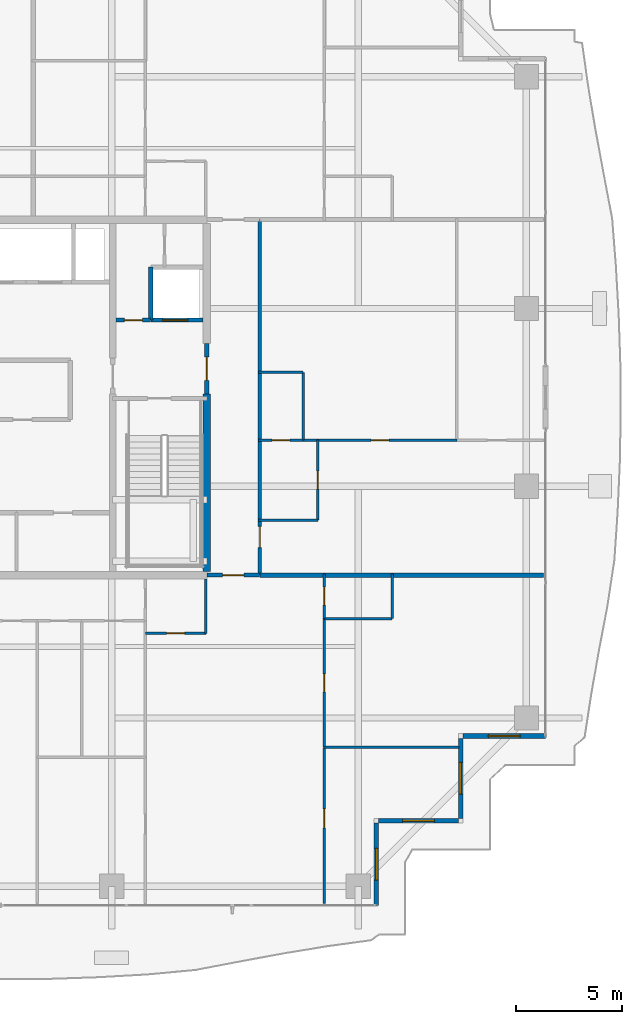
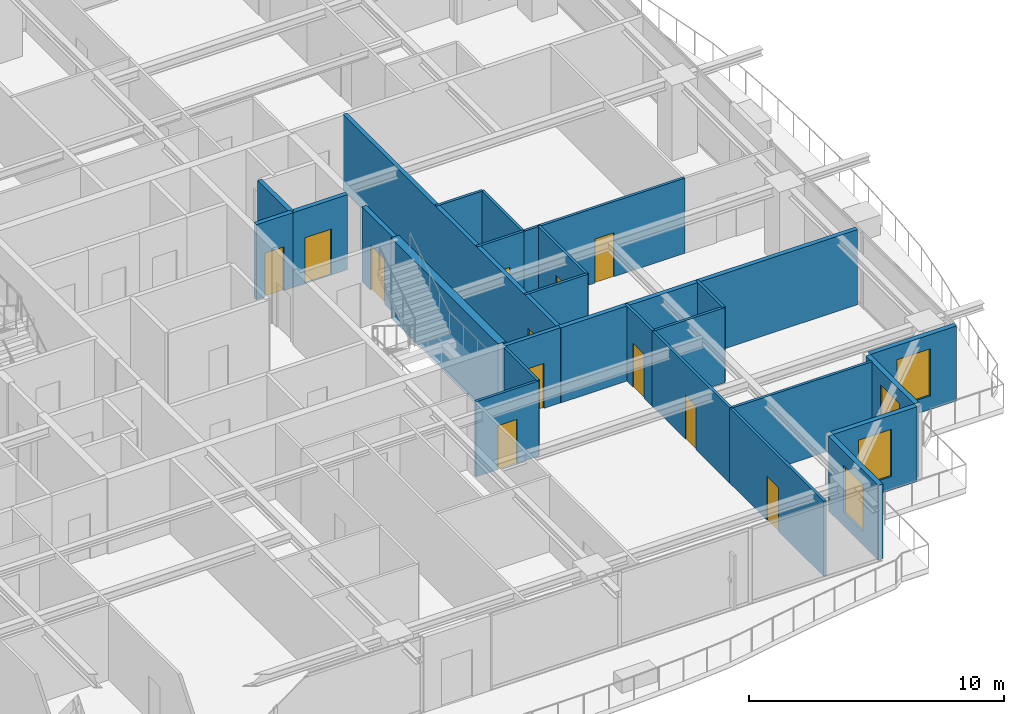
# One storey, part 28 of 37: 26 walls, 12 doors, 4 windows, 16 openings.
"""IFC4 building model written with IfcOpenShell, lengths in metres."""

from ifc_helpers import new_model, si_unit, direction, frame, frame_2d, origin, place, context, subcontext, project, spatial, rectangle, extrude, source, transform, mapped, material, layer, layer_set, type_object, element, fill, save


model = new_model("IFC4")

# Units and contexts
model_context = context("Model", 3, precision=1e-05, world=origin(), true_north=direction((0.0, 1.0)))
body_context = subcontext(model_context, "Body", "Model", "MODEL_VIEW")
ifc_project = project(units=[si_unit("LENGTHUNIT", "METRE"), si_unit("AREAUNIT", "SQUARE_METRE"), si_unit("VOLUMEUNIT", "CUBIC_METRE"), si_unit("PLANEANGLEUNIT", "RADIAN"), si_unit("MASSUNIT", "GRAM", prefix="KILO")], contexts=[model_context])

# Site, building, storey
site_placement = place(None, origin())
site = spatial("IfcSite", under=ifc_project, at=site_placement, CompositionType="ELEMENT")
building_placement = place(site_placement, origin())
building = spatial("IfcBuilding", under=site, at=building_placement, Name="Serunith Strait Residences", CompositionType="ELEMENT")
storey_placement = place(building_placement, frame((0.0, 0.0, 275.89990234375)))
storey = spatial("IfcBuildingStorey", under=building, at=storey_placement, Name="L69", CompositionType="ELEMENT", Elevation=275.89990234375)

# Wall, opening, window
ifc_material_1 = material(Name="Pale-Champagne Aluminium Insulated Panel", Category="aluminium")
ifc_layer_1 = layer(ifc_material_1, 0.219970703125, Name="Pale-Champagne Aluminium Insulated Panel")
ifc_layer_set_1 = layer_set([ifc_layer_1], Name="Pale-Champagne Aluminium Insulated Panel")
wall_type_1 = type_object("IfcWallType", Name="EW-ALUM-220", PredefinedType="ELEMENTEDWALL", material=ifc_layer_set_1)
wall_1_placement = place(storey_placement, frame((49.39990234375, 1.199951171875, 0.0), z_axis=(0.0, 0.0, 1.0), x_axis=(0.0, 1.0, 0.0)))
wall_1 = element("IfcWall", 1, at=wall_1_placement, inside=storey, type_object=wall_type_1, Name="L69 Girih Serrated Corner Wall 02", PredefinedType="ELEMENTEDWALL", context=body_context, shape_type="SweptSolid", body=[
    extrude(rectangle(XDim=3.89013671875, YDim=0.219970703125, at=frame_2d((1.945068359375, 0.0))), origin(), (0.0, 0.0, 1.0), 3.5751953125),
])
opening_1_placement = place(wall_1_placement, frame((1.195068359375, 0.0, 0.64990234375)))
opening_1 = element("IfcOpeningElement", 2, at=opening_1_placement, cuts=wall_1, Name="Opening W-05", PredefinedType="OPENING", context=body_context, shape_type="SweptSolid", body=[
    extrude(rectangle(XDim=1.5, YDim=2.25, at=frame_2d((0.75, 1.125))), frame((0.0, 0.1201171875, 0.0), z_axis=(0.0, -1.0, 0.0), x_axis=(1.0, 0.0, 0.0)), (0.0, 0.0, 1.0), 0.239990234375),
])
ifc_material_2 = material(Name="Ceramic-Fritted Operable Aluminium Window Glass", Category="aluminium")
window_type = type_object("IfcWindowType", Name="WIN-C5", PartitioningType="DOUBLE_PANEL_VERTICAL", PredefinedType="WINDOW", material=ifc_material_2)
shared_shape_1 = source(origin(), body_context, "Body", "SweptSolid", [
    extrude(rectangle(XDim=1.5, YDim=2.25, at=frame_2d((0.75, 1.125))), frame((0.0, 0.030029296875, 0.0), z_axis=(0.0, -1.0, 0.0), x_axis=(1.0, 0.0, 0.0)), (0.0, 0.0, 1.0), 0.06005859375),
])
window_1_placement = place(opening_1_placement, origin())
window_1 = element("IfcWindow", 3, at=window_1_placement, inside=storey, type_object=window_type, Name="L69 Corner Operable Fritted Window 02", OverallHeight=2.25, OverallWidth=1.5, PartitioningType="SINGLE_PANEL", PredefinedType="WINDOW", context=body_context, shape_type="MappedRepresentation", body=[
    mapped(shared_shape_1, transform((0.0, 0.0, 0.0), scale=1.0)),
])
fill(opening_1, window_1)

wall_2_placement = place(storey_placement, frame((49.510009765625, 5.199951171875, 0.0), z_axis=(0.0, 0.0, 1.0), x_axis=(1.0, 0.0, 0.0)))
wall_2 = element("IfcWall", 4, at=wall_2_placement, inside=storey, type_object=wall_type_1, Name="L69 Girih Serrated Corner Wall 03", PredefinedType="ELEMENTEDWALL", context=body_context, shape_type="SweptSolid", body=[
    extrude(rectangle(XDim=3.780029296875, YDim=0.219970703125, at=frame_2d((1.89013671875, 0.0))), origin(), (0.0, 0.0, 1.0), 3.5751953125),
])
opening_2_placement = place(wall_2_placement, frame((1.139892578125, 0.0, 0.64990234375)))
opening_2 = element("IfcOpeningElement", 5, at=opening_2_placement, cuts=wall_2, Name="Opening W-05", PredefinedType="OPENING", context=body_context, shape_type="SweptSolid", body=[
    extrude(rectangle(XDim=1.5, YDim=2.25, at=frame_2d((0.75, 1.125))), frame((0.0, 0.1201171875, 0.0), z_axis=(0.0, -1.0, 0.0), x_axis=(1.0, 0.0, 0.0)), (0.0, 0.0, 1.0), 0.239990234375),
])
window_2_placement = place(opening_2_placement, origin())
window_2 = element("IfcWindow", 6, at=window_2_placement, inside=storey, type_object=window_type, Name="L69 Corner Operable Fritted Window 03", OverallHeight=2.25, OverallWidth=1.5, PartitioningType="SINGLE_PANEL", PredefinedType="WINDOW", context=body_context, shape_type="MappedRepresentation", body=[
    mapped(shared_shape_1, transform((0.0, 0.0, 0.0), scale=1.0)),
])
fill(opening_2, window_2)

wall_3_placement = place(storey_placement, frame((53.39990234375, 5.31005859375, 0.0), z_axis=(0.0, 0.0, 1.0), x_axis=(0.0, 1.0, 0.0)))
wall_3 = element("IfcWall", 7, at=wall_3_placement, inside=storey, type_object=wall_type_1, Name="L69 Girih Serrated Corner Wall 04", PredefinedType="ELEMENTEDWALL", context=body_context, shape_type="SweptSolid", body=[
    extrude(rectangle(XDim=3.780029296875, YDim=0.219970703125, at=frame_2d((1.89013671875, 0.0))), origin(), (0.0, 0.0, 1.0), 3.5751953125),
])
opening_3_placement = place(wall_3_placement, frame((1.139892578125, 0.0, 0.64990234375)))
opening_3 = element("IfcOpeningElement", 8, at=opening_3_placement, cuts=wall_3, Name="Opening W-05", PredefinedType="OPENING", context=body_context, shape_type="SweptSolid", body=[
    extrude(rectangle(XDim=1.5, YDim=2.25, at=frame_2d((0.75, 1.125))), frame((0.0, 0.1201171875, 0.0), z_axis=(0.0, -1.0, 0.0), x_axis=(1.0, 0.0, 0.0)), (0.0, 0.0, 1.0), 0.239990234375),
])
window_3_placement = place(opening_3_placement, origin())
window_3 = element("IfcWindow", 9, at=window_3_placement, inside=storey, type_object=window_type, Name="L69 Corner Operable Fritted Window 04", OverallHeight=2.25, OverallWidth=1.5, PartitioningType="SINGLE_PANEL", PredefinedType="WINDOW", context=body_context, shape_type="MappedRepresentation", body=[
    mapped(shared_shape_1, transform((0.0, 0.0, 0.0), scale=1.0)),
])
fill(opening_3, window_3)

wall_4_placement = place(storey_placement, frame((53.510009765625, 9.199951171875, 0.0), z_axis=(0.0, 0.0, 1.0), x_axis=(1.0, 0.0, 0.0)))
wall_4 = element("IfcWall", 10, at=wall_4_placement, inside=storey, type_object=wall_type_1, Name="L69 Girih Serrated Corner Wall 05", PredefinedType="ELEMENTEDWALL", context=body_context, shape_type="SweptSolid", body=[
    extrude(rectangle(XDim=3.889892578125, YDim=0.219970703125, at=frame_2d((1.94482421875, 0.0))), origin(), (0.0, 0.0, 1.0), 3.5751953125),
])
opening_4_placement = place(wall_4_placement, frame((1.195068359375, 0.0, 0.64990234375)))
opening_4 = element("IfcOpeningElement", 11, at=opening_4_placement, cuts=wall_4, Name="Opening W-05", PredefinedType="OPENING", context=body_context, shape_type="SweptSolid", body=[
    extrude(rectangle(XDim=1.5, YDim=2.25, at=frame_2d((0.75, 1.125))), frame((0.0, 0.1201171875, 0.0), z_axis=(0.0, -1.0, 0.0), x_axis=(1.0, 0.0, 0.0)), (0.0, 0.0, 1.0), 0.239990234375),
])
window_4_placement = place(opening_4_placement, origin())
window_4 = element("IfcWindow", 12, at=window_4_placement, inside=storey, type_object=window_type, Name="L69 Corner Operable Fritted Window 05", OverallHeight=2.25, OverallWidth=1.5, PartitioningType="SINGLE_PANEL", PredefinedType="WINDOW", context=body_context, shape_type="MappedRepresentation", body=[
    mapped(shared_shape_1, transform((0.0, 0.0, 0.0), scale=1.0)),
])
fill(opening_4, window_4)

# Wall, opening, door
ifc_material_3 = material(Name="Fire-rated acoustic gypsum partition")
ifc_layer_2 = layer(ifc_material_3, 0.179931640625, Name="Fire-rated acoustic gypsum partition")
ifc_layer_set_2 = layer_set([ifc_layer_2], Name="Fire-rated acoustic gypsum partition")
wall_type_2 = type_object("IfcWallType", Name="IW-CORR-180", PredefinedType="PARTITIONING", material=ifc_layer_set_2)
wall_5_placement = place(storey_placement, frame((41.402099609375, 16.800048828125, 0.0), z_axis=(0.0, 0.0, 1.0), x_axis=(1.0, 0.0, 0.0)))
wall_5 = element("IfcWall", 13, at=wall_5_placement, inside=storey, type_object=wall_type_2, Name="L69 Partition Wall 030", PredefinedType="PARTITIONING", context=body_context, shape_type="SweptSolid", body=[
    extrude(rectangle(XDim=2.495849609375, YDim=0.179931640625, at=frame_2d((1.248046875, 0.0))), origin(), (0.0, 0.0, 1.0), 3.590087890625),
])
opening_5_placement = place(wall_5_placement, frame((0.748046875, 0.0, 0.0)))
opening_5 = element("IfcOpeningElement", 14, at=opening_5_placement, cuts=wall_5, Name="Opening D-APT1000", PredefinedType="OPENING", context=body_context, shape_type="SweptSolid", body=[
    extrude(rectangle(XDim=1.0, YDim=2.14990234375, at=frame_2d((0.5, 1.074951171875))), frame((0.0, 0.10009765625, 0.0), z_axis=(0.0, -1.0, 0.0), x_axis=(1.0, 0.0, 0.0)), (0.0, 0.0, 1.0), 0.199951171875),
])
ifc_material_4 = material(Name="Solid timber engineered fire door", Category="wood")
door_type_1 = type_object("IfcDoorType", Name="ID-APT-1000", OperationType="NOTDEFINED", PredefinedType="DOOR", material=ifc_material_4)
shared_shape_2 = source(origin(), body_context, "Body", "SweptSolid", [
    extrude(rectangle(XDim=1.0, YDim=2.14990234375, at=frame_2d((0.5, 1.074951171875))), frame((0.0, 0.02490234375, 0.0), z_axis=(0.0, -1.0, 0.0), x_axis=(1.0, 0.0, 0.0)), (0.0, 0.0, 1.0), 0.050048828125),
])
door_1_placement = place(opening_5_placement, origin())
door_1 = element("IfcDoor", 15, at=door_1_placement, inside=storey, type_object=door_type_1, Name="L69 Unit 02 Entrance Door", OperationType="SINGLE_SWING_LEFT", OverallHeight=2.14990234375, OverallWidth=1.0, PredefinedType="DOOR", context=body_context, shape_type="MappedRepresentation", body=[
    mapped(shared_shape_2, transform((0.0, 0.0, 0.0), scale=1.0)),
])
fill(opening_5, door_1)

wall_6_placement = place(storey_placement, frame((43.89990234375, 16.800048828125, 0.0), z_axis=(0.0, 0.0, 1.0), x_axis=(0.0, 1.0, 0.0)))
wall_6 = element("IfcWall", 16, at=wall_6_placement, inside=storey, type_object=wall_type_2, Name="L69 Partition Wall 032", PredefinedType="PARTITIONING", context=body_context, shape_type="SweptSolid", body=[
    extrude(rectangle(XDim=16.800048828125, YDim=0.179931640625, at=frame_2d((8.39990234375, 0.0))), origin(), (0.0, 0.0, 1.0), 3.590087890625),
])
opening_6_placement = place(wall_6_placement, frame((1.300048828125, 0.0, 0.0)))
opening_6 = element("IfcOpeningElement", 17, at=opening_6_placement, cuts=wall_6, Name="Opening D-APT1000", PredefinedType="OPENING", context=body_context, shape_type="SweptSolid", body=[
    extrude(rectangle(XDim=1.0, YDim=2.14990234375, at=frame_2d((0.5, 1.074951171875))), frame((0.0, 0.10009765625, 0.0), z_axis=(0.0, -1.0, 0.0), x_axis=(1.0, 0.0, 0.0)), (0.0, 0.0, 1.0), 0.199951171875),
])
door_2_placement = place(opening_6_placement, origin())
door_2 = element("IfcDoor", 18, at=door_2_placement, inside=storey, type_object=door_type_1, Name="L69 Unit 07 Entrance Door", OperationType="SINGLE_SWING_LEFT", OverallHeight=2.14990234375, OverallWidth=1.0, PredefinedType="DOOR", context=body_context, shape_type="MappedRepresentation", body=[
    mapped(shared_shape_2, transform((0.0, 0.0, 0.0), scale=1.0)),
])
fill(opening_6, door_2)

ifc_material_5 = material(Name="Lightweight steel-stud gypsum partition", Category="steel")
ifc_layer_3 = layer(ifc_material_5, 0.1201171875, Name="Lightweight steel-stud gypsum partition")
ifc_layer_set_3 = layer_set([ifc_layer_3], Name="Lightweight steel-stud gypsum partition")
wall_type_3 = type_object("IfcWallType", Name="IW-PART-120", PredefinedType="PARTITIONING", material=ifc_layer_set_3)
wall_7_placement = place(storey_placement, frame((38.5, 14.050048828125, 0.0), z_axis=(0.0, 0.0, 1.0), x_axis=(1.0, 0.0, 0.0)))
wall_7 = element("IfcWall", 19, at=wall_7_placement, inside=storey, type_object=wall_type_3, Name="L69 Partition Wall 046", PredefinedType="PARTITIONING", context=body_context, shape_type="SweptSolid", body=[
    extrude(rectangle(XDim=2.85009765625, YDim=0.1201171875, at=frame_2d((1.425048828125, 0.0))), origin(), (0.0, 0.0, 1.0), 3.590087890625),
])
opening_7_placement = place(wall_7_placement, frame((1.0, 0.0, 0.0)))
opening_7 = element("IfcOpeningElement", 20, at=opening_7_placement, cuts=wall_7, Name="Opening D-RM850", PredefinedType="OPENING", context=body_context, shape_type="SweptSolid", body=[
    extrude(rectangle(XDim=0.85009765625, YDim=2.10009765625, at=frame_2d((0.425048828125, 1.050048828125))), frame((0.0, 0.070068359375, 0.0), z_axis=(0.0, -1.0, 0.0), x_axis=(1.0, 0.0, 0.0)), (0.0, 0.0, 1.0), 0.14013671875),
])
ifc_material_6 = material(Name="Engineered timber flush study and kitchen door", Category="wood")
door_type_2 = type_object("IfcDoorType", Name="ID-ROOM-850", OperationType="NOTDEFINED", PredefinedType="DOOR", material=ifc_material_6)
shared_shape_3 = source(origin(), body_context, "Body", "SweptSolid", [
    extrude(rectangle(XDim=0.85009765625, YDim=2.10009765625, at=frame_2d((0.425048828125, 1.050048828125))), frame((0.0, 0.02490234375, 0.0), z_axis=(0.0, -1.0, 0.0), x_axis=(1.0, 0.0, 0.0)), (0.0, 0.0, 1.0), 0.050048828125),
])
door_3_placement = place(opening_7_placement, origin())
door_3 = element("IfcDoor", 21, at=door_3_placement, inside=storey, type_object=door_type_2, Name="L69 Kitchen 6902 Door", OperationType="SINGLE_SWING_LEFT", OverallHeight=2.10009765625, OverallWidth=0.85009765625, PredefinedType="DOOR", context=body_context, shape_type="MappedRepresentation", body=[
    mapped(shared_shape_3, transform((0.0, 0.0, 0.0), scale=1.0)),
])
fill(opening_7, door_3)

# Wall
wall_8_placement = place(storey_placement, frame((41.35009765625, 14.050048828125, 0.0), z_axis=(0.0, 0.0, 1.0), x_axis=(0.0, 1.0, 0.0)))
element("IfcWall", 22, at=wall_8_placement, inside=storey, type_object=wall_type_3, Name="L69 Partition Wall 047", PredefinedType="PARTITIONING", context=body_context, shape_type="SweptSolid", body=[
    extrude(rectangle(XDim=2.574951171875, YDim=0.1201171875, at=frame_2d((1.28759765625, 0.0))), origin(), (0.0, 0.0, 1.0), 3.590087890625),
])

# Wall, opening, door
wall_9_placement = place(storey_placement, frame((46.949951171875, 1.294921875, 0.0), z_axis=(0.0, 0.0, 1.0), x_axis=(0.0, 1.0, 0.0)))
wall_9 = element("IfcWall", 23, at=wall_9_placement, inside=storey, type_object=wall_type_3, Name="L69 Partition Wall 062", PredefinedType="PARTITIONING", context=body_context, shape_type="SweptSolid", body=[
    extrude(rectangle(XDim=7.373046875, YDim=0.1201171875, at=frame_2d((3.6865234375, 0.0))), origin(), (0.0, 0.0, 1.0), 3.590087890625),
])
opening_8_placement = place(wall_9_placement, frame((3.56005859375, 0.0, 0.0)))
opening_8 = element("IfcOpeningElement", 24, at=opening_8_placement, cuts=wall_9, Name="Opening D-RM900", PredefinedType="OPENING", context=body_context, shape_type="SweptSolid", body=[
    extrude(rectangle(XDim=0.89990234375, YDim=2.10009765625, at=frame_2d((0.449951171875, 1.050048828125))), frame((0.0, 0.070068359375, 0.0), z_axis=(0.0, -1.0, 0.0), x_axis=(1.0, 0.0, 0.0)), (0.0, 0.0, 1.0), 0.14013671875),
])
ifc_material_7 = material(Name="Engineered timber flush bedroom door", Category="wood")
door_type_3 = type_object("IfcDoorType", Name="ID-ROOM-900", OperationType="NOTDEFINED", PredefinedType="DOOR", material=ifc_material_7)
shared_shape_4 = source(origin(), body_context, "Body", "SweptSolid", [
    extrude(rectangle(XDim=0.89990234375, YDim=2.10009765625, at=frame_2d((0.449951171875, 1.050048828125))), frame((0.0, 0.02490234375, 0.0), z_axis=(0.0, -1.0, 0.0), x_axis=(1.0, 0.0, 0.0)), (0.0, 0.0, 1.0), 0.050048828125),
])
door_4_placement = place(opening_8_placement, origin())
door_4 = element("IfcDoor", 25, at=door_4_placement, inside=storey, type_object=door_type_3, Name="L69 Bedroom 3 6902 Door", OperationType="SINGLE_SWING_LEFT", OverallHeight=2.10009765625, OverallWidth=0.89990234375, PredefinedType="DOOR", context=body_context, shape_type="MappedRepresentation", body=[
    mapped(shared_shape_4, transform((0.0, 0.0, 0.0), scale=1.0)),
])
fill(opening_8, door_4)

# Walls
wall_10_placement = place(storey_placement, frame((46.949951171875, 8.66796875, 0.0), z_axis=(0.0, 0.0, 1.0), x_axis=(1.0, 0.0, 0.0)))
element("IfcWall", 26, at=wall_10_placement, inside=storey, type_object=wall_type_3, Name="L69 Partition Wall 063", PredefinedType="PARTITIONING", context=body_context, shape_type="SweptSolid", body=[
    extrude(rectangle(XDim=6.35498046875, YDim=0.1201171875, at=frame_2d((3.177490234375, 0.0))), origin(), (0.0, 0.0, 1.0), 3.590087890625),
])
wall_11_placement = place(storey_placement, frame((46.949951171875, 14.75, 0.0), z_axis=(0.0, 0.0, 1.0), x_axis=(1.0, 0.0, 0.0)))
element("IfcWall", 27, at=wall_11_placement, inside=storey, type_object=wall_type_3, Name="L69 Partition Wall 064", PredefinedType="PARTITIONING", context=body_context, shape_type="SweptSolid", body=[
    extrude(rectangle(XDim=3.199951171875, YDim=0.1201171875, at=frame_2d((1.60009765625, 0.0))), origin(), (0.0, 0.0, 1.0), 3.590087890625),
])
wall_12_placement = place(storey_placement, frame((50.14990234375, 14.75, 0.0), z_axis=(0.0, 0.0, 1.0), x_axis=(0.0, 1.0, 0.0)))
element("IfcWall", 28, at=wall_12_placement, inside=storey, type_object=wall_type_3, Name="L69 Partition Wall 065", PredefinedType="PARTITIONING", context=body_context, shape_type="SweptSolid", body=[
    extrude(rectangle(XDim=2.110107421875, YDim=0.1201171875, at=frame_2d((1.05517578125, 0.0))), origin(), (0.0, 0.0, 1.0), 3.590087890625),
])

# Wall, opening, door
wall_13_placement = place(storey_placement, frame((46.949951171875, 8.669921875, 0.0), z_axis=(0.0, 0.0, 1.0), x_axis=(0.0, 1.0, 0.0)))
wall_13 = element("IfcWall", 29, at=wall_13_placement, inside=storey, type_object=wall_type_3, Name="L69 Partition Wall 066", PredefinedType="PARTITIONING", context=body_context, shape_type="SweptSolid", body=[
    extrude(rectangle(XDim=6.080078125, YDim=0.1201171875, at=frame_2d((3.0400390625, 0.0))), origin(), (0.0, 0.0, 1.0), 3.590087890625),
])
opening_9_placement = place(wall_13_placement, frame((2.614990234375, 0.0, 0.0)))
opening_9 = element("IfcOpeningElement", 30, at=opening_9_placement, cuts=wall_13, Name="Opening D-RM850", PredefinedType="OPENING", context=body_context, shape_type="SweptSolid", body=[
    extrude(rectangle(XDim=0.85009765625, YDim=2.10009765625, at=frame_2d((0.425048828125, 1.050048828125))), frame((0.0, 0.070068359375, 0.0), z_axis=(0.0, -1.0, 0.0), x_axis=(1.0, 0.0, 0.0)), (0.0, 0.0, 1.0), 0.14013671875),
])
door_5_placement = place(opening_9_placement, origin())
door_5 = element("IfcDoor", 31, at=door_5_placement, inside=storey, type_object=door_type_2, Name="L69 Walk-in Wardrobe 6902 Door", OperationType="SINGLE_SWING_RIGHT", OverallHeight=2.10009765625, OverallWidth=0.85009765625, PredefinedType="DOOR", context=body_context, shape_type="MappedRepresentation", body=[
    mapped(shared_shape_3, transform((0.0, 0.0, 0.0), scale=1.0)),
])
fill(opening_9, door_5)

wall_14_placement = place(storey_placement, frame((46.949951171875, 14.751953125, 0.0), z_axis=(0.0, 0.0, 1.0), x_axis=(0.0, 1.0, 0.0)))
wall_14 = element("IfcWall", 32, at=wall_14_placement, inside=storey, type_object=wall_type_3, Name="L69 Partition Wall 067", PredefinedType="PARTITIONING", context=body_context, shape_type="SweptSolid", body=[
    extrude(rectangle(XDim=2.108154296875, YDim=0.1201171875, at=frame_2d((1.05419921875, 0.0))), origin(), (0.0, 0.0, 1.0), 3.590087890625),
])
opening_10_placement = place(wall_14_placement, frame((0.62890625, 0.0, 0.0)))
opening_10 = element("IfcOpeningElement", 33, at=opening_10_placement, cuts=wall_14, Name="Opening D-BTH850", PredefinedType="OPENING", context=body_context, shape_type="SweptSolid", body=[
    extrude(rectangle(XDim=0.85009765625, YDim=2.10009765625, at=frame_2d((0.425048828125, 1.050048828125))), frame((0.0, 0.070068359375, 0.0), z_axis=(0.0, -1.0, 0.0), x_axis=(1.0, 0.0, 0.0)), (0.0, 0.0, 1.0), 0.14013671875),
])
ifc_material_8 = material(Name="Moisture-resistant timber bathroom door", Category="wood")
door_type_4 = type_object("IfcDoorType", Name="ID-BATH-850", OperationType="NOTDEFINED", PredefinedType="DOOR", material=ifc_material_8)
door_6_placement = place(opening_10_placement, origin())
door_6 = element("IfcDoor", 34, at=door_6_placement, inside=storey, type_object=door_type_4, Name="L69 Bathroom 6902 Door", OperationType="SINGLE_SWING_LEFT", OverallHeight=2.10009765625, OverallWidth=0.85009765625, PredefinedType="DOOR", context=body_context, shape_type="MappedRepresentation", body=[
    mapped(shared_shape_3, transform((0.0, 0.0, 0.0), scale=1.0)),
])
fill(opening_10, door_6)

wall_15_placement = place(storey_placement, frame((46.64990234375, 19.39990234375, 0.0), z_axis=(0.0, 0.0, 1.0), x_axis=(0.0, 1.0, 0.0)))
wall_15 = element("IfcWall", 35, at=wall_15_placement, inside=storey, type_object=wall_type_3, Name="L69 Partition Wall 102", PredefinedType="PARTITIONING", context=body_context, shape_type="SweptSolid", body=[
    extrude(rectangle(XDim=3.780029296875, YDim=0.1201171875, at=frame_2d((1.89013671875, 0.0))), origin(), (0.0, 0.0, 1.0), 3.590087890625),
])
opening_11_placement = place(wall_15_placement, frame((1.465087890625, 0.0, 0.0)))
opening_11 = element("IfcOpeningElement", 36, at=opening_11_placement, cuts=wall_15, Name="Opening D-RM850", PredefinedType="OPENING", context=body_context, shape_type="SweptSolid", body=[
    extrude(rectangle(XDim=0.85009765625, YDim=2.10009765625, at=frame_2d((0.425048828125, 1.050048828125))), frame((0.0, 0.070068359375, 0.0), z_axis=(0.0, -1.0, 0.0), x_axis=(1.0, 0.0, 0.0)), (0.0, 0.0, 1.0), 0.14013671875),
])
door_7_placement = place(opening_11_placement, origin())
door_7 = element("IfcDoor", 37, at=door_7_placement, inside=storey, type_object=door_type_2, Name="L69 Kitchen 6907 Door", OperationType="SINGLE_SWING_RIGHT", OverallHeight=2.10009765625, OverallWidth=0.85009765625, PredefinedType="DOOR", context=body_context, shape_type="MappedRepresentation", body=[
    mapped(shared_shape_3, transform((0.0, 0.0, 0.0), scale=1.0)),
])
fill(opening_11, door_7)

# Walls
wall_16_placement = place(storey_placement, frame((46.64990234375, 19.39990234375, 0.0), z_axis=(0.0, 0.0, 1.0), x_axis=(-1.0, 0.0, 0.0)))
element("IfcWall", 38, at=wall_16_placement, inside=storey, type_object=wall_type_3, Name="L69 Partition Wall 103", PredefinedType="PARTITIONING", context=body_context, shape_type="SweptSolid", body=[
    extrude(rectangle(XDim=2.809814453125, YDim=0.1201171875, at=frame_2d((1.40478515625, 0.0))), origin(), (0.0, 0.0, 1.0), 3.590087890625),
])
wall_17_placement = place(storey_placement, frame((45.949951171875, 23.179931640625, 0.0), z_axis=(0.0, 0.0, 1.0), x_axis=(0.0, 1.0, 0.0)))
element("IfcWall", 39, at=wall_17_placement, inside=storey, type_object=wall_type_3, Name="L69 Partition Wall 106", PredefinedType="PARTITIONING", context=body_context, shape_type="SweptSolid", body=[
    extrude(rectangle(XDim=3.199951171875, YDim=0.1201171875, at=frame_2d((1.60009765625, 0.0))), origin(), (0.0, 0.0, 1.0), 3.590087890625),
])
wall_18_placement = place(storey_placement, frame((45.949951171875, 26.3798828125, 0.0), z_axis=(0.0, 0.0, 1.0), x_axis=(-1.0, 0.0, 0.0)))
element("IfcWall", 40, at=wall_18_placement, inside=storey, type_object=wall_type_3, Name="L69 Partition Wall 107", PredefinedType="PARTITIONING", context=body_context, shape_type="SweptSolid", body=[
    extrude(rectangle(XDim=2.10986328125, YDim=0.1201171875, at=frame_2d((1.054931640625, 0.0))), origin(), (0.0, 0.0, 1.0), 3.590087890625),
])

# Wall, opening, door
wall_19_placement = place(storey_placement, frame((53.214111328125, 23.179931640625, 0.0), z_axis=(0.0, 0.0, 1.0), x_axis=(-1.0, 0.0, 0.0)))
wall_19 = element("IfcWall", 41, at=wall_19_placement, inside=storey, type_object=wall_type_3, Name="L69 Partition Wall 108", PredefinedType="PARTITIONING", context=body_context, shape_type="SweptSolid", body=[
    extrude(rectangle(XDim=7.26416015625, YDim=0.1201171875, at=frame_2d((3.632080078125, 0.0))), origin(), (0.0, 0.0, 1.0), 3.590087890625),
])
opening_12_placement = place(wall_19_placement, frame((3.20703125, 0.0, 0.0)))
opening_12 = element("IfcOpeningElement", 42, at=opening_12_placement, cuts=wall_19, Name="Opening D-RM850", PredefinedType="OPENING", context=body_context, shape_type="SweptSolid", body=[
    extrude(rectangle(XDim=0.85009765625, YDim=2.10009765625, at=frame_2d((0.425048828125, 1.050048828125))), frame((0.0, 0.070068359375, 0.0), z_axis=(0.0, -1.0, 0.0), x_axis=(1.0, 0.0, 0.0)), (0.0, 0.0, 1.0), 0.14013671875),
])
door_8_placement = place(opening_12_placement, origin())
door_8 = element("IfcDoor", 43, at=door_8_placement, inside=storey, type_object=door_type_2, Name="L69 Walk-in Wardrobe 6907 Door", OperationType="SINGLE_SWING_RIGHT", OverallHeight=2.10009765625, OverallWidth=0.85009765625, PredefinedType="DOOR", context=body_context, shape_type="MappedRepresentation", body=[
    mapped(shared_shape_3, transform((0.0, 0.0, 0.0), scale=1.0)),
])
fill(opening_12, door_8)

wall_20_placement = place(storey_placement, frame((45.947998046875, 23.179931640625, 0.0), z_axis=(0.0, 0.0, 1.0), x_axis=(-1.0, 0.0, 0.0)))
wall_20 = element("IfcWall", 44, at=wall_20_placement, inside=storey, type_object=wall_type_3, Name="L69 Partition Wall 109", PredefinedType="PARTITIONING", context=body_context, shape_type="SweptSolid", body=[
    extrude(rectangle(XDim=2.10791015625, YDim=0.1201171875, at=frame_2d((1.053955078125, 0.0))), origin(), (0.0, 0.0, 1.0), 3.590087890625),
])
opening_13_placement = place(wall_20_placement, frame((0.62890625, 0.0, 0.0)))
opening_13 = element("IfcOpeningElement", 45, at=opening_13_placement, cuts=wall_20, Name="Opening D-BTH850", PredefinedType="OPENING", context=body_context, shape_type="SweptSolid", body=[
    extrude(rectangle(XDim=0.85009765625, YDim=2.10009765625, at=frame_2d((0.425048828125, 1.050048828125))), frame((0.0, 0.070068359375, 0.0), z_axis=(0.0, -1.0, 0.0), x_axis=(1.0, 0.0, 0.0)), (0.0, 0.0, 1.0), 0.14013671875),
])
door_9_placement = place(opening_13_placement, origin())
door_9 = element("IfcDoor", 46, at=door_9_placement, inside=storey, type_object=door_type_4, Name="L69 Bathroom 6907 Door", OperationType="SINGLE_SWING_LEFT", OverallHeight=2.10009765625, OverallWidth=0.85009765625, PredefinedType="DOOR", context=body_context, shape_type="MappedRepresentation", body=[
    mapped(shared_shape_3, transform((0.0, 0.0, 0.0), scale=1.0)),
])
fill(opening_13, door_9)

# Wall
ifc_material_9 = material(Name="Twin-stud acoustic gypsum board partition")
ifc_layer_4 = layer(ifc_material_9, 0.199951171875, Name="Twin-stud acoustic gypsum board partition")
ifc_layer_set_4 = layer_set([ifc_layer_4], Name="Twin-stud acoustic gypsum board partition")
wall_type_4 = type_object("IfcWallType", Name="IW-PARTY-200", PredefinedType="PARTITIONING", material=ifc_layer_set_4)
wall_21_placement = place(storey_placement, frame((43.89990234375, 16.800048828125, 0.0), z_axis=(0.0, 0.0, 1.0), x_axis=(1.0, 0.0, 0.0)))
element("IfcWall", 47, at=wall_21_placement, inside=storey, type_object=wall_type_4, Name="L69 Partition Wall 024", PredefinedType="PARTITIONING", context=body_context, shape_type="SweptSolid", body=[
    extrude(rectangle(XDim=13.418212890625, YDim=0.199951171875, at=frame_2d((6.708984375, 0.0))), origin(), (0.0, 0.0, 1.0), 3.590087890625),
])

# Wall, opening, door
ifc_material_10 = material(Name="Autoclaved aerated concrete blockwork", Category="masonry")
ifc_layer_5 = layer(ifc_material_10, 0.199951171875, Name="Autoclaved aerated concrete blockwork")
ifc_layer_set_5 = layer_set([ifc_layer_5], Name="Autoclaved aerated concrete blockwork")
wall_type_5 = type_object("IfcWallType", Name="IW-SHAFT-200", PredefinedType="STANDARD", material=ifc_layer_set_5)
wall_22_placement = place(storey_placement, frame((38.75, 28.85009765625, 0.0), z_axis=(0.0, 0.0, 1.0), x_axis=(1.0, 0.0, 0.0)))
wall_22 = element("IfcWall", 48, at=wall_22_placement, inside=storey, type_object=wall_type_5, Name="L69 FL-2 South Shaft Wall", PredefinedType="STANDARD", context=body_context, shape_type="SweptSolid", body=[
    extrude(rectangle(XDim=2.47509765625, YDim=0.199951171875, at=frame_2d((1.237548828125, 0.0))), origin(), (0.0, 0.0, 1.0), 3.590087890625),
])
opening_14_placement = place(wall_22_placement, frame((0.550048828125, 0.0, 0.0)))
opening_14 = element("IfcOpeningElement", 49, at=opening_14_placement, cuts=wall_22, Name="Opening LD-FF1200", PredefinedType="OPENING", context=body_context, shape_type="SweptSolid", body=[
    extrude(rectangle(XDim=1.199951171875, YDim=2.199951171875, at=frame_2d((0.60009765625, 1.10009765625))), frame((0.0, 0.10986328125, 0.0), z_axis=(0.0, -1.0, 0.0), x_axis=(1.0, 0.0, 0.0)), (0.0, 0.0, 1.0), 0.219970703125),
])
ifc_material_11 = material(Name="Brushed stainless steel landing door", Category="steel")
door_type_5 = type_object("IfcDoorType", Name="LD-FF-1200", OperationType="DOUBLE_DOOR_SLIDING", PredefinedType="DOOR", material=ifc_material_11)
shared_shape_5 = source(origin(), body_context, "Body", "SweptSolid", [
    extrude(rectangle(XDim=1.199951171875, YDim=2.199951171875, at=frame_2d((0.60009765625, 1.10009765625))), frame((0.0, 0.02490234375, 0.0), z_axis=(0.0, -1.0, 0.0), x_axis=(1.0, 0.0, 0.0)), (0.0, 0.0, 1.0), 0.050048828125),
])
door_10_placement = place(opening_14_placement, origin())
door_10 = element("IfcDoor", 50, at=door_10_placement, inside=storey, type_object=door_type_5, Name="L69 FL-2 Landing Door", OperationType="DOUBLE_DOOR_SLIDING", OverallHeight=2.199951171875, OverallWidth=1.199951171875, PredefinedType="DOOR", context=body_context, shape_type="MappedRepresentation", body=[
    mapped(shared_shape_5, transform((0.0, 0.0, 0.0), scale=1.0)),
])
fill(opening_14, door_10)

# Wall
wall_23_placement = place(storey_placement, frame((38.75, 28.85009765625, 0.0), z_axis=(0.0, 0.0, 1.0), x_axis=(0.0, 1.0, 0.0)))
element("IfcWall", 51, at=wall_23_placement, inside=storey, type_object=wall_type_5, Name="L69 Partition Wall 004", PredefinedType="STANDARD", context=body_context, shape_type="SweptSolid", body=[
    extrude(rectangle(XDim=2.5, YDim=0.199951171875, at=frame_2d((1.25, 0.0))), origin(), (0.0, 0.0, 1.0), 3.590087890625),
])

# Wall, opening, door
wall_24_placement = place(storey_placement, frame((37.10009765625, 28.85009765625, 0.0), z_axis=(0.0, 0.0, 1.0), x_axis=(1.0, 0.0, 0.0)))
wall_24 = element("IfcWall", 52, at=wall_24_placement, inside=storey, type_object=wall_type_5, Name="L69 Partition Wall 006", PredefinedType="STANDARD", context=body_context, shape_type="SweptSolid", body=[
    extrude(rectangle(XDim=1.64794921875, YDim=0.199951171875, at=frame_2d((0.823974609375, 0.0))), origin(), (0.0, 0.0, 1.0), 3.590087890625),
])
opening_15_placement = place(wall_24_placement, frame((0.39892578125, 0.0, 0.0)))
opening_15 = element("IfcOpeningElement", 53, at=opening_15_placement, cuts=wall_24, Name="Opening FD-850", PredefinedType="OPENING", context=body_context, shape_type="SweptSolid", body=[
    extrude(rectangle(XDim=0.85009765625, YDim=2.10009765625, at=frame_2d((0.425048828125, 1.050048828125))), frame((0.0, 0.10986328125, 0.0), z_axis=(0.0, -1.0, 0.0), x_axis=(1.0, 0.0, 0.0)), (0.0, 0.0, 1.0), 0.219970703125),
])
ifc_material_12 = material(Name="Powder-coated steel service closet door", Category="steel")
door_type_6 = type_object("IfcDoorType", Name="FD-BOH-850", OperationType="NOTDEFINED", PredefinedType="DOOR", material=ifc_material_12)
door_11_placement = place(opening_15_placement, origin())
door_11 = element("IfcDoor", 54, at=door_11_placement, inside=storey, type_object=door_type_6, Name="L69 North-East Core Service Door", OperationType="SINGLE_SWING_LEFT", OverallHeight=2.10009765625, OverallWidth=0.85009765625, PredefinedType="DOOR", context=body_context, shape_type="MappedRepresentation", body=[
    mapped(shared_shape_3, transform((0.0, 0.0, 0.0), scale=1.0)),
])
fill(opening_15, door_11)

wall_25_placement = place(storey_placement, frame((41.39990234375, 25.35205078125, 0.0), z_axis=(0.0, 0.0, 1.0), x_axis=(0.0, 1.0, 0.0)))
wall_25 = element("IfcWall", 55, at=wall_25_placement, inside=storey, type_object=wall_type_5, Name="L69 Partition Wall 008", PredefinedType="STANDARD", context=body_context, shape_type="SweptSolid", body=[
    extrude(rectangle(XDim=2.39599609375, YDim=0.199951171875, at=frame_2d((1.197998046875, 0.0))), origin(), (0.0, 0.0, 1.0), 3.590087890625),
])
opening_16_placement = place(wall_25_placement, frame((0.64794921875, 0.0, 0.0)))
opening_16 = element("IfcOpeningElement", 56, at=opening_16_placement, cuts=wall_25, Name="Opening FD-FFL", PredefinedType="OPENING", context=body_context, shape_type="SweptSolid", body=[
    extrude(rectangle(XDim=1.10009765625, YDim=2.14990234375, at=frame_2d((0.550048828125, 1.074951171875))), frame((0.0, 0.10986328125, 0.0), z_axis=(0.0, -1.0, 0.0), x_axis=(1.0, 0.0, 0.0)), (0.0, 0.0, 1.0), 0.219970703125),
])
ifc_material_13 = material(Name="Glazed steel smoke-lobby fire door", Category="steel")
door_type_7 = type_object("IfcDoorType", Name="FD-FFL-1100", OperationType="NOTDEFINED", PredefinedType="DOOR", material=ifc_material_13)
shared_shape_6 = source(origin(), body_context, "Body", "SweptSolid", [
    extrude(rectangle(XDim=1.10009765625, YDim=2.14990234375, at=frame_2d((0.550048828125, 1.074951171875))), frame((0.0, 0.02490234375, 0.0), z_axis=(0.0, -1.0, 0.0), x_axis=(1.0, 0.0, 0.0)), (0.0, 0.0, 1.0), 0.050048828125),
])
door_12_placement = place(opening_16_placement, origin())
door_12 = element("IfcDoor", 57, at=door_12_placement, inside=storey, type_object=door_type_7, Name="L69 FFL-2 Corridor Fire Door", OperationType="SINGLE_SWING_LEFT", OverallHeight=2.14990234375, OverallWidth=1.10009765625, PredefinedType="DOOR", context=body_context, shape_type="MappedRepresentation", body=[
    mapped(shared_shape_6, transform((0.0, 0.0, 0.0), scale=1.0)),
])
fill(opening_16, door_12)

# Wall
ifc_material_14 = material(Name="Concrete C60/75", Category="concrete")
ifc_layer_6 = layer(ifc_material_14, 0.35009765625, Name="Concrete C60/75")
ifc_layer_set_6 = layer_set([ifc_layer_6], Name="Concrete C60/75")
wall_type_6 = type_object("IfcWallType", Name="SW-350-C60", PredefinedType="SHEAR", material=ifc_layer_set_6)
wall_26_placement = place(storey_placement, frame((41.39990234375, 16.97509765625, -0.260009765625), z_axis=(0.0, 0.0, 1.0), x_axis=(0.0, 1.0, 0.0)))
element("IfcWall", 58, at=wall_26_placement, inside=storey, type_object=wall_type_6, Name="L69 Core East Shear Wall South Pier", PredefinedType="SHEAR", context=body_context, shape_type="SweptSolid", body=[
    extrude(rectangle(XDim=8.375, YDim=0.35009765625, at=frame_2d((4.1875, 0.0))), origin(), (0.0, 0.0, 1.0), 3.84814453125),
])

save(model, "model.ifc")
